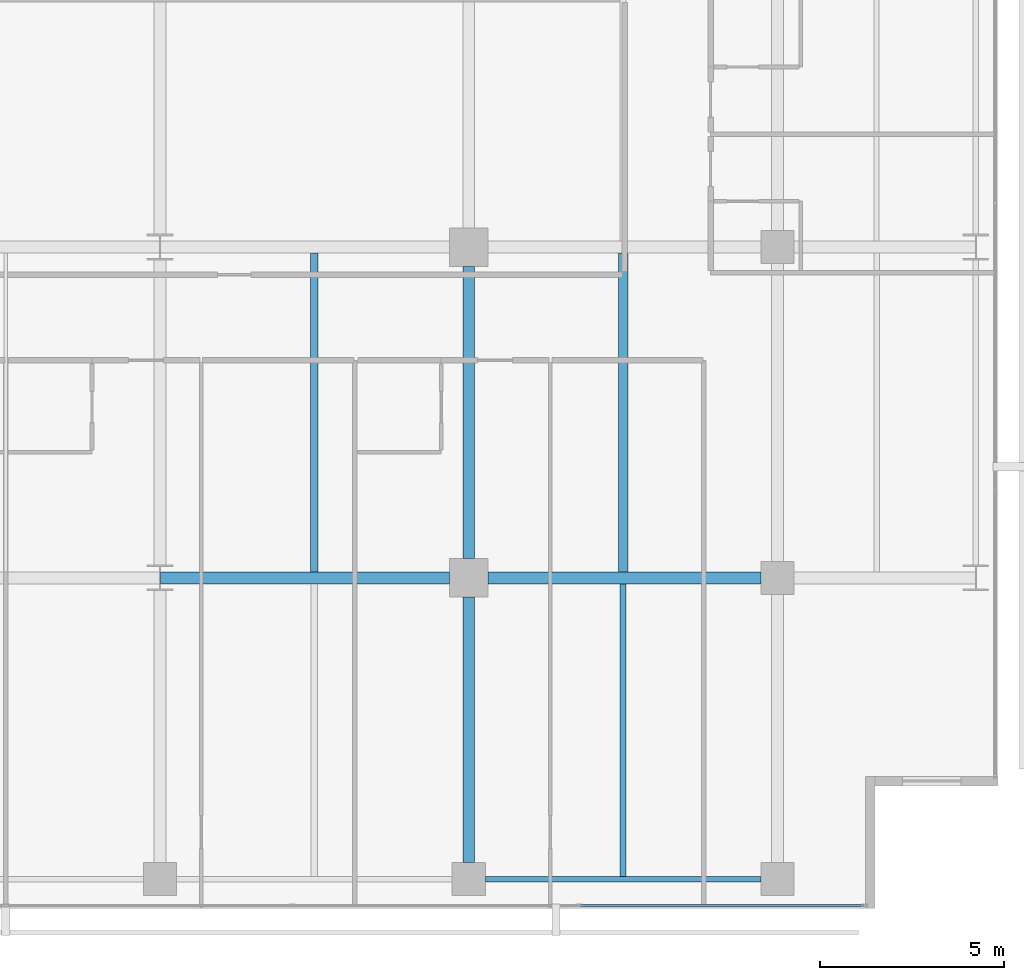
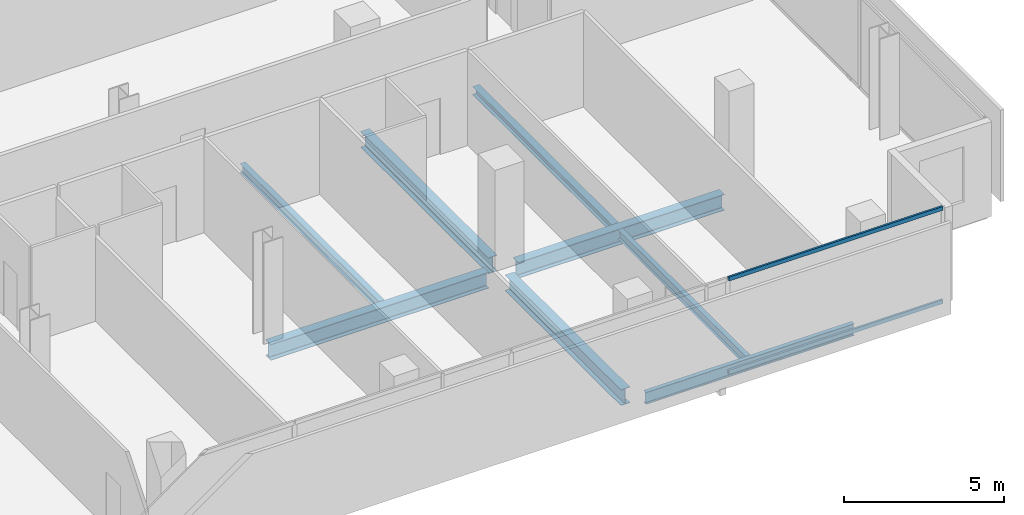
# One storey, part 15 of 40: 8 beams, 2 members, 1 element without a shape of its own.
"""IFC4 building model written with IfcOpenShell, lengths in metres."""

from ifc_helpers import new_model, si_unit, direction, frame, origin, origin_2d, place, context, subcontext, project, spatial, hollow_rectangle, i_section, extrude, material, layer, layer_set, material_profile, profile_set, type_object, element, aggregate, save


model = new_model("IFC4")

# Units and contexts
model_context = context("Model", 3, precision=1e-05, world=origin(), true_north=direction((0.0, 1.0)))
body_context = subcontext(model_context, "Body", "Model", "MODEL_VIEW")
ifc_project = project(units=[si_unit("LENGTHUNIT", "METRE"), si_unit("AREAUNIT", "SQUARE_METRE"), si_unit("VOLUMEUNIT", "CUBIC_METRE"), si_unit("PLANEANGLEUNIT", "RADIAN"), si_unit("MASSUNIT", "GRAM", prefix="KILO")], contexts=[model_context])

# Site, building, storey
site_placement = place(None, origin())
site = spatial("IfcSite", under=ifc_project, at=site_placement, CompositionType="ELEMENT")
building_placement = place(site_placement, origin())
building = spatial("IfcBuilding", under=site, at=building_placement, Name="Maruvema Waterfront Hotel and Observation Tower", CompositionType="ELEMENT")
storey_placement = place(building_placement, frame((0.0, 0.0, 107.800048828125)))
storey = spatial("IfcBuildingStorey", under=building, at=storey_placement, Name="L26", CompositionType="ELEMENT", Elevation=107.800048828125)

# Curtain wall, members
ifc_material_1 = material(Name="Anodised bronze aluminium and solar-control low-E IGU", Category="aluminium")
ifc_layer = layer(ifc_material_1, 0.159912109375, Name="Zone 1 Bronze Inner Thermal Curtain Wall System CW-02")
ifc_layer_set = layer_set([ifc_layer], Name="Anodised bronze aluminium and solar-control low-E IGU")
curtain_wall_type = type_object("IfcCurtainWallType", Name="Zone 1 Bronze Inner Thermal Curtain Wall System CW-02", PredefinedType="USERDEFINED", material=ifc_layer_set)
curtain_wall_placement = place(storey_placement, origin())
curtain_wall = element("IfcCurtainWall", 1, at=curtain_wall_placement, inside=storey, type_object=curtain_wall_type, Name="L26 Curtain Wall CW-L26-S", ObjectType="UNITISED CURTAIN WALL", PredefinedType="USERDEFINED")
ifc_material_2 = material(Name="Anodised architectural bronze aluminium", Category="aluminium")
ifc_material_profile_1 = material_profile(ifc_material_2, hollow_rectangle(XDim=0.070068359375, YDim=0.14990234375, WallThickness=0.00390625, at=origin_2d()), Name="ALU-T70x150")
ifc_profile_set_1 = profile_set([ifc_material_profile_1], Name="Anodised architectural bronze aluminium")
member_type = type_object("IfcMemberType", Name="Curtain Wall Horizontal Transom ALU-T70x150", PredefinedType="USERDEFINED", material=ifc_profile_set_1)
member_1_placement = place(storey_placement, frame((53.429931640625, 0.080078125, 0.030029296875), z_axis=(1.0, 0.0, 0.0), x_axis=(0.0, 1.0, 0.0)))
member_1 = element("IfcMember", 2, at=member_1_placement, type_object=member_type, Name="CW-02 transom 6.1", ObjectType="TRANSOM", PredefinedType="USERDEFINED", context=body_context, shape_type="SweptSolid", body=[
    extrude(hollow_rectangle(XDim=0.070068359375, YDim=0.14990234375, WallThickness=0.00390625, at=origin_2d()), origin(), (0.0, 0.0, 1.0), 7.7099609375),
])
member_2_placement = place(storey_placement, frame((53.429931640625, 0.080078125, 3.579833984375), z_axis=(1.0, 0.0, 0.0), x_axis=(0.0, 1.0, 0.0)))
member_2 = element("IfcMember", 3, at=member_2_placement, type_object=member_type, Name="CW-02 transom 6.2", ObjectType="TRANSOM", PredefinedType="USERDEFINED", context=body_context, shape_type="SweptSolid", body=[
    extrude(hollow_rectangle(XDim=0.070068359375, YDim=0.14990234375, WallThickness=0.00390625, at=origin_2d()), origin(), (0.0, 0.0, 1.0), 7.7099609375),
])
aggregate(curtain_wall, [member_1, member_2])

# Beams
ifc_material_3 = material(Name="Steel ASTM A572 Grade 50", Category="steel")
ifc_material_profile_2 = material_profile(ifc_material_3, i_section(OverallWidth=0.153076171875, OverallDepth=0.455078125, WebThickness=0.008056640625, FlangeThickness=0.01318359375, FilletRadius=0.014892578125, at=origin_2d()), Name="W460x60.0")
ifc_profile_set_2 = profile_set([ifc_material_profile_2], Name="Steel ASTM A572 Grade 50")
beam_type_1 = type_object("IfcBeamType", Name="Perimeter Spandrel Beam W460x60.0", PredefinedType="SPANDREL", material=ifc_profile_set_2)
beam_1_placement = place(storey_placement, frame((50.85009765625, 0.800048828125, -0.467529296875), z_axis=(1.0, 0.0, 0.0), x_axis=(0.0, 1.0, 0.0)))
element("IfcBeam", 4, at=beam_1_placement, inside=storey, type_object=beam_type_1, Name="L26 Floor Girder EW-05", PredefinedType="SPANDREL", context=body_context, shape_type="SweptSolid", body=[
    extrude(i_section(OverallWidth=0.153076171875, OverallDepth=0.455078125, WebThickness=0.008056640625, FlangeThickness=0.01318359375, FilletRadius=0.014892578125, at=origin_2d()), origin(), (0.0, 0.0, 1.0), 7.5),
])
ifc_material_4 = material(Name="Steel ASTM A572 Grade 50", Category="steel")
ifc_material_profile_3 = material_profile(ifc_material_4, i_section(OverallWidth=0.323974609375, OverallDepth=0.611083984375, WebThickness=0.0126953125, FlangeThickness=0.01904296875, FilletRadius=0.01806640625, at=origin_2d()), Name="W610x155.0")
ifc_profile_set_3 = profile_set([ifc_material_profile_3], Name="Steel ASTM A572 Grade 50")
beam_type_2 = type_object("IfcBeamType", Name="Primary Floor Girder W610x155.0", PredefinedType="BEAM", material=ifc_profile_set_3)
beam_2_placement = place(storey_placement, frame((42.013916015625, 9.0, -0.545654296875), z_axis=(1.0, 0.0, 0.0), x_axis=(0.0, 1.0, 0.0)))
element("IfcBeam", 5, at=beam_2_placement, inside=storey, type_object=beam_type_2, Name="L26 Floor Girder EW-10", PredefinedType="BEAM", context=body_context, shape_type="SweptSolid", body=[
    extrude(i_section(OverallWidth=0.323974609375, OverallDepth=0.611083984375, WebThickness=0.0126953125, FlangeThickness=0.01904296875, FilletRadius=0.01806640625, at=origin_2d()), origin(), (0.0, 0.0, 1.0), 7.861083984375),
])
beam_3_placement = place(storey_placement, frame((50.925048828125, 9.0, -0.545654296875), z_axis=(1.0, 0.0, 0.0), x_axis=(0.0, 1.0, 0.0)))
element("IfcBeam", 6, at=beam_3_placement, inside=storey, type_object=beam_type_2, Name="L26 Floor Girder EW-11", PredefinedType="BEAM", context=body_context, shape_type="SweptSolid", body=[
    extrude(i_section(OverallWidth=0.323974609375, OverallDepth=0.611083984375, WebThickness=0.0126953125, FlangeThickness=0.01904296875, FilletRadius=0.01806640625, at=origin_2d()), origin(), (0.0, 0.0, 1.0), 7.425048828125),
])
beam_4_placement = place(storey_placement, frame((50.39990234375, 1.25, -0.545654296875), z_axis=(0.0, 1.0, 0.0), x_axis=(-1.0, 0.0, 0.0)))
element("IfcBeam", 7, at=beam_4_placement, inside=storey, type_object=beam_type_2, Name="L26 Floor Girder NS-22", PredefinedType="BEAM", context=body_context, shape_type="SweptSolid", body=[
    extrude(i_section(OverallWidth=0.323974609375, OverallDepth=0.611083984375, WebThickness=0.0126953125, FlangeThickness=0.01904296875, FilletRadius=0.01806640625, at=origin_2d()), origin(), (0.0, 0.0, 1.0), 7.22509765625),
])
beam_5_placement = place(storey_placement, frame((50.39990234375, 9.52490234375, -0.545654296875), z_axis=(0.0, 1.0, 0.0), x_axis=(-1.0, 0.0, 0.0)))
element("IfcBeam", 8, at=beam_5_placement, inside=storey, type_object=beam_type_2, Name="L26 Floor Girder NS-23", PredefinedType="BEAM", context=body_context, shape_type="SweptSolid", body=[
    extrude(i_section(OverallWidth=0.323974609375, OverallDepth=0.611083984375, WebThickness=0.0126953125, FlangeThickness=0.01904296875, FilletRadius=0.01806640625, at=origin_2d()), origin(), (0.0, 0.0, 1.0), 7.9501953125),
])
ifc_material_5 = material(Name="Steel ASTM A572 Grade 50", Category="steel")
ifc_material_profile_4 = material_profile(ifc_material_5, i_section(OverallWidth=0.25390625, OverallDepth=0.305908203125, WebThickness=0.0087890625, FlangeThickness=0.0146484375, FilletRadius=0.014892578125, at=origin_2d()), Name="W310x79.0")
ifc_profile_set_4 = profile_set([ifc_material_profile_4], Name="Steel ASTM A572 Grade 50")
beam_type_3 = type_object("IfcBeamType", Name="Secondary Floor Joist W310x79.0", PredefinedType="JOIST", material=ifc_profile_set_4)
beam_6_placement = place(storey_placement, frame((54.60009765625, 9.162109375, -0.39306640625), z_axis=(0.0, 1.0, 0.0), x_axis=(-1.0, 0.0, 0.0)))
element("IfcBeam", 9, at=beam_6_placement, inside=storey, type_object=beam_type_3, Name="L26 Secondary Floor Joist JS-17", PredefinedType="JOIST", context=body_context, shape_type="SweptSolid", body=[
    extrude(i_section(OverallWidth=0.25390625, OverallDepth=0.305908203125, WebThickness=0.0087890625, FlangeThickness=0.0146484375, FilletRadius=0.014892578125, at=origin_2d()), origin(), (0.0, 0.0, 1.0), 8.67578125),
])
ifc_material_6 = material(Name="Steel ASTM A572 Grade 50", Category="steel")
ifc_material_profile_5 = material_profile(ifc_material_6, i_section(OverallWidth=0.1708984375, OverallDepth=0.35498046875, WebThickness=0.007080078125, FlangeThickness=0.01171875, FilletRadius=0.014892578125, at=origin_2d()), Name="W360x51.0")
ifc_profile_set_5 = profile_set([ifc_material_profile_5], Name="Steel ASTM A572 Grade 50")
beam_type_4 = type_object("IfcBeamType", Name="Secondary Floor Joist W360x51.0", PredefinedType="JOIST", material=ifc_profile_set_5)
beam_7_placement = place(storey_placement, frame((54.60009765625, 0.87646484375, -0.41748046875), z_axis=(0.0, 1.0, 0.0), x_axis=(-1.0, 0.0, 0.0)))
element("IfcBeam", 10, at=beam_7_placement, inside=storey, type_object=beam_type_4, Name="L26 Secondary Floor Joist JS-16", PredefinedType="JOIST", context=body_context, shape_type="SweptSolid", body=[
    extrude(i_section(OverallWidth=0.1708984375, OverallDepth=0.35498046875, WebThickness=0.007080078125, FlangeThickness=0.01171875, FilletRadius=0.014892578125, at=origin_2d()), origin(), (0.0, 0.0, 1.0), 7.96142578125),
])
ifc_material_7 = material(Name="Steel ASTM A572 Grade 50", Category="steel")
ifc_material_profile_6 = material_profile(ifc_material_7, i_section(OverallWidth=0.202880859375, OverallDepth=0.346923828125, WebThickness=0.0078125, FlangeThickness=0.013427734375, FilletRadius=0.014892578125, at=origin_2d()), Name="W360x64.0")
ifc_profile_set_6 = profile_set([ifc_material_profile_6], Name="Steel ASTM A572 Grade 50")
beam_type_5 = type_object("IfcBeamType", Name="Secondary Floor Joist W360x64.0", PredefinedType="JOIST", material=ifc_profile_set_6)
beam_8_placement = place(storey_placement, frame((46.199951171875, 9.162109375, -0.41357421875), z_axis=(0.0, 1.0, 0.0), x_axis=(-1.0, 0.0, 0.0)))
element("IfcBeam", 11, at=beam_8_placement, inside=storey, type_object=beam_type_5, Name="L26 Secondary Floor Joist JS-15", PredefinedType="JOIST", context=body_context, shape_type="SweptSolid", body=[
    extrude(i_section(OverallWidth=0.202880859375, OverallDepth=0.346923828125, WebThickness=0.0078125, FlangeThickness=0.013427734375, FilletRadius=0.014892578125, at=origin_2d()), origin(), (0.0, 0.0, 1.0), 8.67578125),
])

save(model, "model.ifc")
